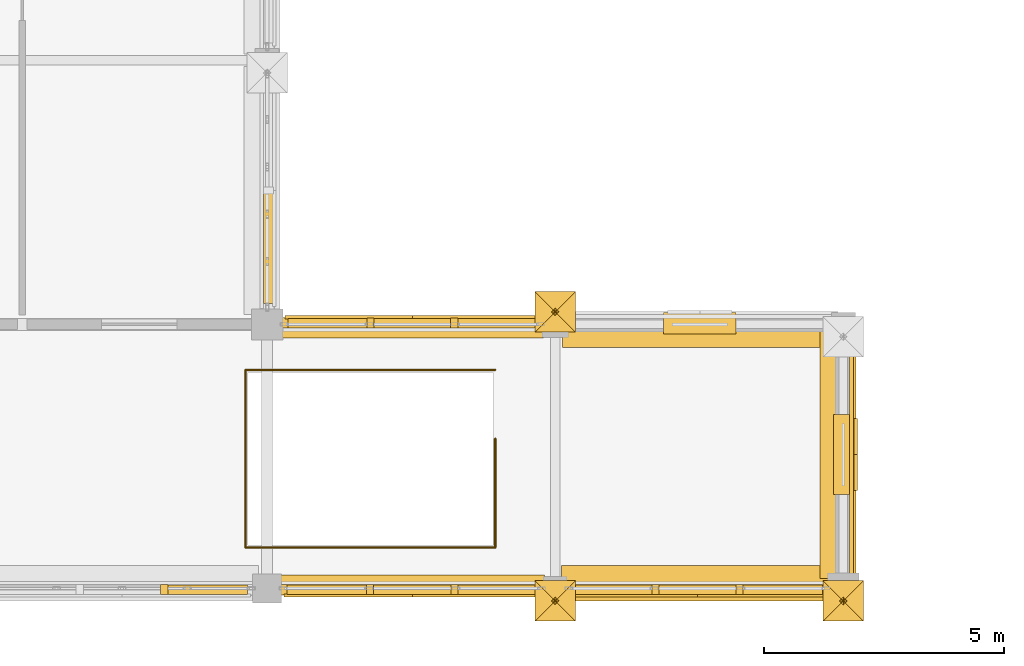
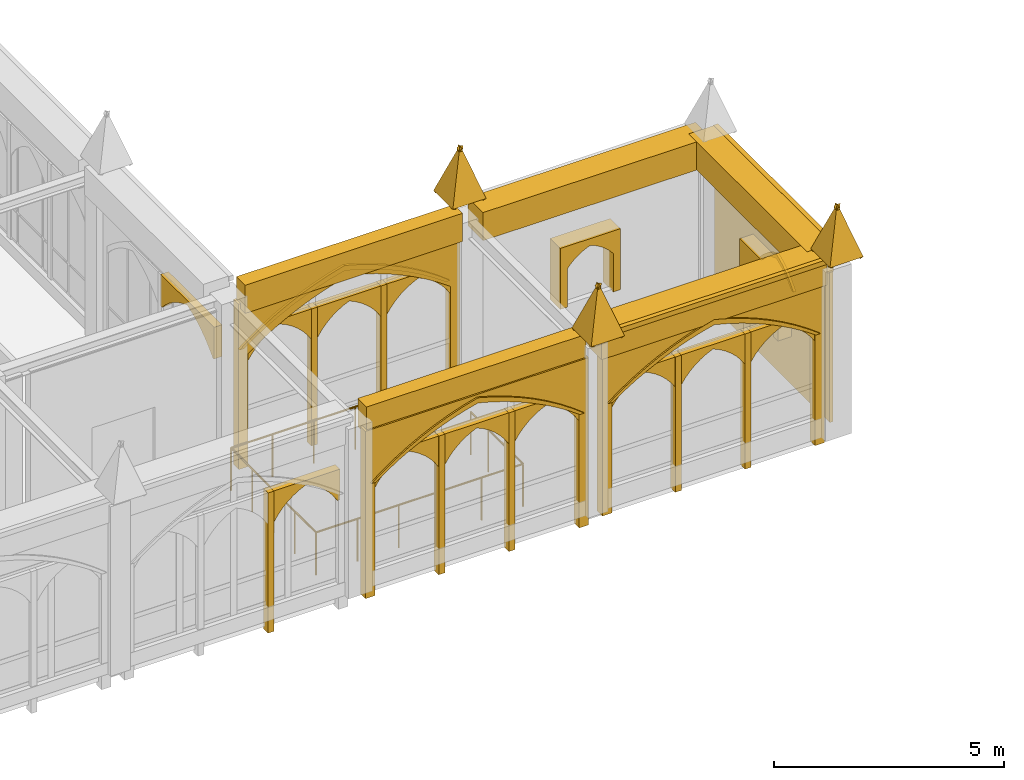
# One storey, part 125 of 143: 47 coverings, 1 railing.
"""IFC4 building model written with IfcOpenShell, lengths in metres."""

from ifc_helpers import new_model, si_unit, direction, frame, origin, origin_2d, place, context, subcontext, project, spatial, polyline, rectangle, circle, outline, extrude, material, type_object, element, save


model = new_model("IFC4")

# Units and contexts
model_context = context("Model", 3, precision=1e-05, world=origin(), true_north=direction((0.0, 1.0)))
body_context = subcontext(model_context, "Body", "Model", "MODEL_VIEW")
ifc_project = project(units=[si_unit("LENGTHUNIT", "METRE"), si_unit("AREAUNIT", "SQUARE_METRE"), si_unit("VOLUMEUNIT", "CUBIC_METRE"), si_unit("PLANEANGLEUNIT", "RADIAN"), si_unit("MASSUNIT", "GRAM", prefix="KILO")], contexts=[model_context])

# Site, building, storey
site_placement = place(None, origin())
site = spatial("IfcSite", under=ifc_project, at=site_placement, CompositionType="ELEMENT")
building_placement = place(site_placement, origin())
building = spatial("IfcBuilding", under=site, at=building_placement, Name="Cumevento Cable Car Station", CompositionType="ELEMENT")
storey_placement = place(building_placement, frame((0.0, 0.0, 9.0)))
storey = spatial("IfcBuildingStorey", under=building, at=storey_placement, Name="L03", CompositionType="ELEMENT", Elevation=9.0)

# Railing
ifc_material_1 = material(Name="Painted Galvanised Architectural Steel", Category="steel")
railing_type = type_object("IfcRailingType", Name="Stair Guardrail GR-S115", PredefinedType="GUARDRAIL", material=ifc_material_1)
railing_placement = place(storey_placement, frame((74.75, 7.1201171875, 0.0)))
element("IfcRailing", 1, at=railing_placement, inside=storey, type_object=railing_type, Name="Stairwell Opening Rim Guard ST-08 L03", PredefinedType="GUARDRAIL", context=body_context, shape_type="SweptSolid", body=[
    extrude(circle(Radius=0.02392578125, at=origin_2d()), frame((0.0, 0.0, 1.1259765625), z_axis=(0.0, -1.0, 0.0), x_axis=(1.0, 0.0, 0.0)), (0.0, 0.0, 1.0), 2.27001953125),
    extrude(circle(Radius=0.02392578125, at=origin_2d()), frame((0.0, -2.27001953125, 1.1259765625), z_axis=(-1.0, 0.0, 0.0), x_axis=(0.0, -1.0, 0.0)), (0.0, 0.0, 1.0), 5.199951171875),
    extrude(circle(Radius=0.02392578125, at=origin_2d()), frame((-5.199951171875, -2.27001953125, 1.1259765625), z_axis=(0.0, 1.0, 0.0), x_axis=(-1.0, 0.0, 0.0)), (0.0, 0.0, 1.0), 3.699951171875),
    extrude(circle(Radius=0.02392578125, at=origin_2d()), frame((-5.199951171875, 1.429931640625, 1.1259765625), z_axis=(1.0, 0.0, 0.0), x_axis=(0.0, 1.0, 0.0)), (0.0, 0.0, 1.0), 5.199951171875),
    extrude(circle(Radius=0.02001953125, at=origin_2d()), origin(), (0.0, 0.0, 1.0), 1.101806640625),
    extrude(circle(Radius=0.02001953125, at=origin_2d()), frame((0.0, -0.756591796875, 0.0)), (0.0, 0.0, 1.0), 1.101806640625),
    extrude(circle(Radius=0.02001953125, at=origin_2d()), frame((0.0, -1.513427734375, 0.0)), (0.0, 0.0, 1.0), 1.101806640625),
    extrude(circle(Radius=0.02001953125, at=origin_2d()), frame((0.0, -2.27001953125, 0.0)), (0.0, 0.0, 1.0), 1.101806640625),
    extrude(circle(Radius=0.02001953125, at=origin_2d()), frame((-1.0400390625, -2.27001953125, 0.0)), (0.0, 0.0, 1.0), 1.101806640625),
    extrude(circle(Radius=0.02001953125, at=origin_2d()), frame((-2.080078125, -2.27001953125, 0.0)), (0.0, 0.0, 1.0), 1.101806640625),
    extrude(circle(Radius=0.02001953125, at=origin_2d()), frame((-3.119873046875, -2.27001953125, 0.0)), (0.0, 0.0, 1.0), 1.101806640625),
    extrude(circle(Radius=0.02001953125, at=origin_2d()), frame((-4.159912109375, -2.27001953125, 0.0)), (0.0, 0.0, 1.0), 1.101806640625),
    extrude(circle(Radius=0.02001953125, at=origin_2d()), frame((-5.199951171875, -2.27001953125, 0.0)), (0.0, 0.0, 1.0), 1.101806640625),
    extrude(circle(Radius=0.02001953125, at=origin_2d()), frame((-5.199951171875, -1.344970703125, 0.0)), (0.0, 0.0, 1.0), 1.101806640625),
    extrude(circle(Radius=0.02001953125, at=origin_2d()), frame((-5.199951171875, -0.419921875, 0.0)), (0.0, 0.0, 1.0), 1.101806640625),
    extrude(circle(Radius=0.02001953125, at=origin_2d()), frame((-5.199951171875, 0.5048828125, 0.0)), (0.0, 0.0, 1.0), 1.101806640625),
    extrude(circle(Radius=0.02001953125, at=origin_2d()), frame((-5.199951171875, 1.429931640625, 0.0)), (0.0, 0.0, 1.0), 1.101806640625),
    extrude(circle(Radius=0.02001953125, at=origin_2d()), frame((-4.159912109375, 1.429931640625, 0.0)), (0.0, 0.0, 1.0), 1.101806640625),
    extrude(circle(Radius=0.02001953125, at=origin_2d()), frame((-3.119873046875, 1.429931640625, 0.0)), (0.0, 0.0, 1.0), 1.101806640625),
    extrude(circle(Radius=0.02001953125, at=origin_2d()), frame((-2.080078125, 1.429931640625, 0.0)), (0.0, 0.0, 1.0), 1.101806640625),
    extrude(circle(Radius=0.02001953125, at=origin_2d()), frame((-1.0400390625, 1.429931640625, 0.0)), (0.0, 0.0, 1.0), 1.101806640625),
    extrude(circle(Radius=0.02001953125, at=origin_2d()), frame((0.0, 1.429931640625, 0.0)), (0.0, 0.0, 1.0), 1.101806640625),
])

# Coverings
ifc_material_2 = material(Name="Gnaisse Facoidal Stone Ashlar 85 MPa", Category="masonry")
covering_type = type_object("IfcCoveringType", Name="Gnaisse Ashlar Cladding CV-CL01", PredefinedType="CLADDING", material=ifc_material_2)
for number, where, z_axis, x_axis, name in (
    (2, (75.580078125, 4.159912109375, 4.8701171875), (0.0, 0.951573760476, 0.30742052367), (1.0, 0.0, 0.0), "Gothic Buttress Pinnacle Spire Facet 1 bt:76.0:4.0"),
    (3, (76.419921875, 4.159912109375, 4.8701171875), (0.951573760476, 0.0, 0.30742052367), (0.0, -1.0, 0.0), "Gothic Buttress Pinnacle Spire Facet 2 bt:76.0:4.0"),
    (4, (76.419921875, 3.320068359375, 4.8701171875), (0.0, -0.951573760476, 0.30742052367), (-1.0, 0.0, 0.0), "Gothic Buttress Pinnacle Spire Facet 3 bt:76.0:4.0"),
    (5, (75.580078125, 3.320068359375, 4.8701171875), (-0.951573760476, 0.0, 0.30742052367), (0.0, 1.0, 0.0), "Gothic Buttress Pinnacle Spire Facet 4 bt:76.0:4.0"),
    (6, (76.419921875, 9.340087890625, 4.8701171875), (0.0, -0.951573760476, 0.30742052367), (-1.0, 0.0, 0.0), "Gothic Buttress Pinnacle Spire Facet 1 bt:76.0:9.5"),
    (7, (75.580078125, 9.340087890625, 4.8701171875), (-0.951573760476, 0.0, 0.30742052367), (0.0, 1.0, 0.0), "Gothic Buttress Pinnacle Spire Facet 2 bt:76.0:9.5"),
    (8, (75.580078125, 10.179931640625, 4.8701171875), (0.0, 0.951573760476, 0.30742052367), (1.0, 0.0, 0.0), "Gothic Buttress Pinnacle Spire Facet 3 bt:76.0:9.5"),
    (9, (76.419921875, 10.179931640625, 4.8701171875), (0.951573760476, 0.0, 0.30742052367), (0.0, -1.0, 0.0), "Gothic Buttress Pinnacle Spire Facet 4 bt:76.0:9.5"),
    (10, (81.580078125, 4.159912109375, 4.8701171875), (0.0, 0.951573760476, 0.30742052367), (1.0, 0.0, 0.0), "Gothic Buttress Pinnacle Spire Facet 1 bt:82.0:4.0"),
    (11, (82.419921875, 4.159912109375, 4.8701171875), (0.951573760476, 0.0, 0.30742052367), (0.0, -1.0, 0.0), "Gothic Buttress Pinnacle Spire Facet 2 bt:82.0:4.0"),
    (12, (82.419921875, 3.320068359375, 4.8701171875), (0.0, -0.951573760476, 0.30742052367), (-1.0, 0.0, 0.0), "Gothic Buttress Pinnacle Spire Facet 3 bt:82.0:4.0"),
    (13, (81.580078125, 3.320068359375, 4.8701171875), (-0.951573760476, 0.0, 0.30742052367), (0.0, 1.0, 0.0), "Gothic Buttress Pinnacle Spire Facet 4 bt:82.0:4.0"),
):
    element("IfcCovering", number, at=place(storey_placement, frame(where, z_axis=z_axis, x_axis=x_axis)), inside=storey, type_object=covering_type, Name=name, PredefinedType="CLADDING", context=body_context, shape_type="SweptSolid", body=[
        extrude(outline(polyline([(0.0, 0.0), (0.83984375, 0.0), (0.419921875, -1.3659526370817139), (0.0, 0.0)])), origin(), (0.0, 0.0, -1.0), 0.0849609375),
    ])
covering_1_placement = place(storey_placement, frame((73.02490234375, 4.090087890625, 4.032958984375), z_axis=(0.0, 0.0, 1.0), x_axis=(-1.0, 0.0, 0.0)))
element("IfcCovering", 14, at=covering_1_placement, inside=storey, type_object=covering_type, Name="Gothic Stone Spandrel Stringcourse sc:0595", PredefinedType="CLADDING", context=body_context, shape_type="SweptSolid", body=[
    extrude(rectangle(XDim=5.510009765625, YDim=0.3798828125, at=origin_2d()), origin(), (0.0, 0.0, 1.0), 0.7470703125),
])
covering_2_placement = place(storey_placement, frame((78.96240234375, 4.14990234375, 4.032958984375), z_axis=(0.0, 0.0, 1.0), x_axis=(-1.0, 0.0, 0.0)))
element("IfcCovering", 15, at=covering_2_placement, inside=storey, type_object=covering_type, Name="Gothic Stone Spandrel Stringcourse sc:0596", PredefinedType="CLADDING", context=body_context, shape_type="SweptSolid", body=[
    extrude(rectangle(XDim=5.6650390625, YDim=0.659912109375, at=origin_2d()), origin(), (0.0, 0.0, 1.0), 0.7470703125),
])
covering_3_placement = place(storey_placement, frame((78.96240234375, 3.79248046875, 4.650146484375), z_axis=(0.0, 0.0, 1.0), x_axis=(-1.0, 0.0, 0.0)))
element("IfcCovering", 16, at=covering_3_placement, inside=storey, type_object=covering_type, Name="Gothic Cornice Dripstone Lip sc:0596", PredefinedType="CLADDING", context=body_context, shape_type="SweptSolid", body=[
    extrude(rectangle(XDim=5.705078125, YDim=0.114990234375, at=origin_2d()), origin(), (0.0, 0.0, 1.0), 0.1298828125),
])
covering_4_placement = place(storey_placement, frame((73.02490234375, 9.409912109375, 4.032958984375), z_axis=(0.0, 0.0, 1.0), x_axis=(1.0, 0.0, 0.0)))
element("IfcCovering", 17, at=covering_4_placement, inside=storey, type_object=covering_type, Name="Gothic Stone Spandrel Stringcourse sc:0599", PredefinedType="CLADDING", context=body_context, shape_type="SweptSolid", body=[
    extrude(rectangle(XDim=5.4599609375, YDim=0.3798828125, at=origin_2d()), origin(), (0.0, 0.0, 1.0), 0.7470703125),
])
covering_5_placement = place(storey_placement, frame((79.012451171875, 9.35009765625, 4.032958984375), z_axis=(0.0, 0.0, 1.0), x_axis=(1.0, 0.0, 0.0)))
element("IfcCovering", 18, at=covering_5_placement, inside=storey, type_object=covering_type, Name="Gothic Stone Spandrel Stringcourse sc:0600", PredefinedType="CLADDING", context=body_context, shape_type="SweptSolid", body=[
    extrude(rectangle(XDim=5.715087890625, YDim=0.659912109375, at=origin_2d()), origin(), (0.0, 0.0, 1.0), 0.7470703125),
])
covering_6_placement = place(storey_placement, frame((81.85009765625, 6.78759765625, 4.032958984375), z_axis=(0.0, 0.0, 1.0), x_axis=(0.0, -1.0, 0.0)))
element("IfcCovering", 19, at=covering_6_placement, inside=storey, type_object=covering_type, Name="Gothic Stone Spandrel Stringcourse sc:0601", PredefinedType="CLADDING", context=body_context, shape_type="SweptSolid", body=[
    extrude(rectangle(XDim=5.1650390625, YDim=0.659912109375, at=origin_2d()), origin(), (0.0, 0.0, 1.0), 0.7470703125),
])
covering_7_placement = place(storey_placement, frame((82.20751953125, 6.78759765625, 4.650146484375), z_axis=(0.0, 0.0, 1.0), x_axis=(0.0, -1.0, 0.0)))
element("IfcCovering", 20, at=covering_7_placement, inside=storey, type_object=covering_type, Name="Gothic Cornice Dripstone Lip sc:0601", PredefinedType="CLADDING", context=body_context, shape_type="SweptSolid", body=[
    extrude(rectangle(XDim=5.205078125, YDim=0.114990234375, at=origin_2d()), origin(), (0.0, 0.0, 1.0), 0.1298828125),
])
covering_8_placement = place(storey_placement, frame((69.699951171875, 4.0, -0.320068359375), z_axis=(0.0, 0.0, 1.0), x_axis=(-1.0, 0.0, 0.0)))
element("IfcCovering", 21, at=covering_8_placement, inside=storey, type_object=covering_type, Name="Gothic Bifora Stone Colonnette cw_ogival:0076 #1", PredefinedType="CLADDING", context=body_context, shape_type="SweptSolid", body=[
    extrude(outline(polyline([(1.77001953125, -0.02001953125), (1.919921875, -0.02001953125), (1.919921875, 3.70556640625), (1.77001953125, 3.70556640625), (1.77001953125, -0.02001953125)])), frame((0.0, 0.1279296875, 0.0), z_axis=(0.0, -1.0, 0.0), x_axis=(1.0, 0.0, 0.0)), (0.0, 0.0, 1.0), 0.205078125),
])
covering_9_placement = place(storey_placement, frame((69.570068359375, 4.0, 2.569091796875), z_axis=(0.0, 0.0, 1.0), x_axis=(-1.0, 0.0, 0.0)))
element("IfcCovering", 22, at=covering_9_placement, inside=storey, type_object=covering_type, Name="Gothic Ogival Pointed-Arch Stone Spandrel cw_ogival:0076:sub:0", PredefinedType="CLADDING", context=body_context, shape_type="SweptSolid", body=[
    extrude(outline(polyline([(-0.02001953125, 0.0), (-0.02001953125, 0.81640625), (1.68994140625, 0.81640625), (1.68994140625, 0.0), (1.6298828125, 0.0), (1.5322265625, 0.150390625), (1.418701171875, 0.2890625), (1.29052734375, 0.41455078125), (1.1494140625, 0.525146484375), (0.996826171875, 0.619384765625), (0.8349609375, 0.6962890625), (0.673095703125, 0.619384765625), (0.5205078125, 0.525146484375), (0.37939453125, 0.41455078125), (0.251220703125, 0.2890625), (0.1376953125, 0.150390625), (0.0400390625, 0.0), (-0.02001953125, 0.0)])), frame((0.0, 0.1240234375, 0.0), z_axis=(0.0, -1.0, 0.0), x_axis=(1.0, 0.0, 0.0)), (0.0, 0.0, 1.0), 0.199951171875),
])
placement_1 = place(storey_placement, frame((75.75, 4.0, -0.27001953125), z_axis=(0.0, 0.0, 1.0), x_axis=(-1.0, 0.0, 0.0)))
element("IfcCovering", 23, at=placement_1, inside=storey, type_object=covering_type, Name="Gothic Ogival Pointed-Arch Stone Spandrel cw_ogival:0077", PredefinedType="CLADDING", context=body_context, shape_type="SweptSolid", body=[
    extrude(outline(polyline([(-0.080078125, 0.0), (-0.080078125, 4.443115234375), (5.530029296875, 4.443115234375), (5.530029296875, 0.0), (5.2900390625, 0.0), (5.2900390625, 3.037109375), (4.9990234375, 3.243408203125), (4.69775390625, 3.4345703125), (4.387451171875, 3.6103515625), (4.068603515625, 3.77001953125), (3.7421875, 3.91357421875), (3.40869140625, 4.04052734375), (3.0693359375, 4.150390625), (2.72509765625, 4.242919921875), (2.380615234375, 4.150390625), (2.041259765625, 4.04052734375), (1.707763671875, 3.91357421875), (1.38134765625, 3.77001953125), (1.0625, 3.6103515625), (0.752197265625, 3.4345703125), (0.450927734375, 3.243408203125), (0.159912109375, 3.037109375), (0.159912109375, 0.0), (-0.080078125, 0.0)])), frame((0.0, 0.139892578125, 0.0), z_axis=(0.0, -1.0, 0.0), x_axis=(1.0, 0.0, 0.0)), (0.0, 0.0, 1.0), 0.219970703125),
])
covering_11_placement = place(storey_placement, frame((75.75, 4.0, 2.76708984375), z_axis=(0.0, 0.0, 1.0), x_axis=(-1.0, 0.0, 0.0)))
element("IfcCovering", 24, at=covering_11_placement, inside=storey, type_object=covering_type, Name="Gothic Pointed Archivolt Hood Moulding cw_ogival:0077", PredefinedType="CLADDING", context=body_context, shape_type="SweptSolid", body=[
    extrude(outline(polyline([(0.159912109375, 0.0), (0.450927734375, 0.206298828125), (0.752197265625, 0.3974609375), (1.0625, 0.5732421875), (1.38134765625, 0.73291015625), (1.707763671875, 0.87646484375), (2.041259765625, 1.00341796875), (2.380615234375, 1.11328125), (2.72509765625, 1.205810546875), (3.0693359375, 1.11328125), (3.40869140625, 1.00341796875), (3.7421875, 0.87646484375), (4.068603515625, 0.73291015625), (4.387451171875, 0.5732421875), (4.69775390625, 0.3974609375), (4.9990234375, 0.206298828125), (5.2900390625, 0.0), (5.39990234375, 0.0), (5.100341796875, 0.22900390625), (4.7890625, 0.441650390625), (4.466796875, 0.63720703125), (4.134521484375, 0.8154296875), (3.793212890625, 0.9755859375), (3.44384765625, 1.1171875), (3.08740234375, 1.239990234375), (2.72509765625, 1.343505859375), (2.362548828125, 1.239990234375), (2.006103515625, 1.1171875), (1.65673828125, 0.9755859375), (1.3154296875, 0.8154296875), (0.983154296875, 0.63720703125), (0.660888671875, 0.441650390625), (0.349609375, 0.22900390625), (0.050048828125, 0.0), (0.159912109375, 0.0)])), frame((0.0, 0.181884765625, 0.0), z_axis=(0.0, -1.0, 0.0), x_axis=(1.0, 0.0, 0.0)), (0.0, 0.0, 1.0), 0.06689453125),
])
element("IfcCovering", 25, at=placement_1, inside=storey, type_object=covering_type, Name="Gothic Bifora Stone Colonnette cw_ogival:0077 #1", PredefinedType="CLADDING", context=body_context, shape_type="SweptSolid", body=[
    extrude(outline(polyline([(1.77001953125, -0.02001953125), (1.919921875, -0.02001953125), (1.919921875, 3.664306640625), (1.77001953125, 3.664306640625), (1.77001953125, -0.02001953125)])), frame((0.0, 0.1279296875, 0.0), z_axis=(0.0, -1.0, 0.0), x_axis=(1.0, 0.0, 0.0)), (0.0, 0.0, 1.0), 0.205078125),
])
element("IfcCovering", 26, at=placement_1, inside=storey, type_object=covering_type, Name="Gothic Bifora Stone Colonnette cw_ogival:0077 #2", PredefinedType="CLADDING", context=body_context, shape_type="SweptSolid", body=[
    extrude(outline(polyline([(3.530029296875, -0.02001953125), (3.679931640625, -0.02001953125), (3.679931640625, 3.664306640625), (3.530029296875, 3.664306640625), (3.530029296875, -0.02001953125)])), frame((0.0, 0.1279296875, 0.0), z_axis=(0.0, -1.0, 0.0), x_axis=(1.0, 0.0, 0.0)), (0.0, 0.0, 1.0), 0.205078125),
])
for number, where, z_axis, x_axis, name in (
    (27, (75.6201171875, 4.0, 2.587158203125), (0.0, 0.0, 1.0), (-1.0, 0.0, 0.0), "Gothic Ogival Pointed-Arch Stone Spandrel cw_ogival:0077:sub:0"),
    (28, (73.860107421875, 4.0, 2.587158203125), (0.0, 0.0, 1.0), (-1.0, 0.0, 0.0), "Gothic Ogival Pointed-Arch Stone Spandrel cw_ogival:0077:sub:1"),
    (29, (72.10009765625, 4.0, 2.587158203125), (0.0, 0.0, 1.0), (-1.0, 0.0, 0.0), "Gothic Ogival Pointed-Arch Stone Spandrel cw_ogival:0077:sub:2"),
):
    element("IfcCovering", number, at=place(storey_placement, frame(where, z_axis=z_axis, x_axis=x_axis)), inside=storey, type_object=covering_type, Name=name, PredefinedType="CLADDING", context=body_context, shape_type="SweptSolid", body=[
        extrude(outline(polyline([(-0.02001953125, 0.0), (-0.02001953125, 0.80712890625), (1.68994140625, 0.80712890625), (1.68994140625, 0.0), (1.6298828125, 0.0), (1.531494140625, 0.148681640625), (1.41748046875, 0.28564453125), (1.289306640625, 0.4091796875), (1.148193359375, 0.518310546875), (0.99609375, 0.611328125), (0.8349609375, 0.68701171875), (0.673828125, 0.611328125), (0.521728515625, 0.518310546875), (0.380615234375, 0.4091796875), (0.25244140625, 0.28564453125), (0.138427734375, 0.148681640625), (0.0400390625, 0.0), (-0.02001953125, 0.0)])), frame((0.0, 0.1240234375, 0.0), z_axis=(0.0, -1.0, 0.0), x_axis=(1.0, 0.0, 0.0)), (0.0, 0.0, 1.0), 0.199951171875),
    ])
placement_2 = place(storey_placement, frame((70.324951171875, 9.5, -0.219970703125), z_axis=(0.0, 0.0, 1.0), x_axis=(1.0, 0.0, 0.0)))
element("IfcCovering", 30, at=placement_2, inside=storey, type_object=covering_type, Name="Gothic Ogival Pointed-Arch Stone Spandrel cw_ogival:0078", PredefinedType="CLADDING", context=body_context, shape_type="SweptSolid", body=[
    extrude(outline(polyline([(-0.080078125, 0.0), (-0.080078125, 4.39306640625), (5.47998046875, 4.39306640625), (5.47998046875, 0.0), (5.239990234375, 0.0), (5.239990234375, 3.005126953125), (4.951416015625, 3.208251953125), (4.653076171875, 3.396728515625), (4.345703125, 3.56982421875), (4.02978515625, 3.727294921875), (3.70654296875, 3.86865234375), (3.376708984375, 3.99365234375), (3.040771484375, 4.101806640625), (2.699951171875, 4.193115234375), (2.359130859375, 4.101806640625), (2.023193359375, 3.99365234375), (1.693359375, 3.86865234375), (1.3701171875, 3.727294921875), (1.05419921875, 3.56982421875), (0.746826171875, 3.396728515625), (0.448486328125, 3.208251953125), (0.159912109375, 3.005126953125), (0.159912109375, 0.0), (-0.080078125, 0.0)])), frame((0.0, 0.139892578125, 0.0), z_axis=(0.0, -1.0, 0.0), x_axis=(1.0, 0.0, 0.0)), (0.0, 0.0, 1.0), 0.219970703125),
])
covering_15_placement = place(storey_placement, frame((70.324951171875, 9.5, 2.78515625), z_axis=(0.0, 0.0, 1.0), x_axis=(1.0, 0.0, 0.0)))
element("IfcCovering", 31, at=covering_15_placement, inside=storey, type_object=covering_type, Name="Gothic Pointed Archivolt Hood Moulding cw_ogival:0078", PredefinedType="CLADDING", context=body_context, shape_type="SweptSolid", body=[
    extrude(outline(polyline([(0.159912109375, 0.0), (0.448486328125, 0.203125), (0.746826171875, 0.3916015625), (1.05419921875, 0.564697265625), (1.3701171875, 0.72216796875), (1.693359375, 0.863525390625), (2.023193359375, 0.988525390625), (2.359130859375, 1.0966796875), (2.699951171875, 1.18798828125), (3.040771484375, 1.0966796875), (3.376708984375, 0.988525390625), (3.70654296875, 0.863525390625), (4.02978515625, 0.72216796875), (4.345703125, 0.564697265625), (4.653076171875, 0.3916015625), (4.951416015625, 0.203125), (5.239990234375, 0.0), (5.35009765625, 0.0), (5.052978515625, 0.22607421875), (4.744384765625, 0.435791015625), (4.425048828125, 0.62890625), (4.095947265625, 0.8046875), (3.7578125, 0.962646484375), (3.411865234375, 1.102294921875), (3.058837890625, 1.223388671875), (2.699951171875, 1.325439453125), (2.341064453125, 1.223388671875), (1.988037109375, 1.102294921875), (1.64208984375, 0.962646484375), (1.303955078125, 0.8046875), (0.974853515625, 0.62890625), (0.655517578125, 0.435791015625), (0.346923828125, 0.22607421875), (0.050048828125, 0.0), (0.159912109375, 0.0)])), frame((0.0, 0.181884765625, 0.0), z_axis=(0.0, -1.0, 0.0), x_axis=(1.0, 0.0, 0.0)), (0.0, 0.0, 1.0), 0.06689453125),
])
element("IfcCovering", 32, at=placement_2, inside=storey, type_object=covering_type, Name="Gothic Bifora Stone Colonnette cw_ogival:0078 #1", PredefinedType="CLADDING", context=body_context, shape_type="SweptSolid", body=[
    extrude(outline(polyline([(1.75341796875, -0.02001953125), (1.9033203125, -0.02001953125), (1.9033203125, 3.622802734375), (1.75341796875, 3.622802734375), (1.75341796875, -0.02001953125)])), frame((0.0, 0.1279296875, 0.0), z_axis=(0.0, -1.0, 0.0), x_axis=(1.0, 0.0, 0.0)), (0.0, 0.0, 1.0), 0.205078125),
])
element("IfcCovering", 33, at=placement_2, inside=storey, type_object=covering_type, Name="Gothic Bifora Stone Colonnette cw_ogival:0078 #2", PredefinedType="CLADDING", context=body_context, shape_type="SweptSolid", body=[
    extrude(outline(polyline([(3.49658203125, -0.02001953125), (3.646728515625, -0.02001953125), (3.646728515625, 3.622802734375), (3.49658203125, 3.622802734375), (3.49658203125, -0.02001953125)])), frame((0.0, 0.1279296875, 0.0), z_axis=(0.0, -1.0, 0.0), x_axis=(1.0, 0.0, 0.0)), (0.0, 0.0, 1.0), 0.205078125),
])
for number, where, z_axis, x_axis, name in (
    (34, (70.455078125, 9.5, 2.60498046875), (0.0, 0.0, 1.0), (1.0, 0.0, 0.0), "Gothic Ogival Pointed-Arch Stone Spandrel cw_ogival:0078:sub:0"),
    (35, (72.1982421875, 9.5, 2.60498046875), (0.0, 0.0, 1.0), (1.0, 0.0, 0.0), "Gothic Ogival Pointed-Arch Stone Spandrel cw_ogival:0078:sub:1"),
    (36, (73.941650390625, 9.5, 2.60498046875), (0.0, 0.0, 1.0), (1.0, 0.0, 0.0), "Gothic Ogival Pointed-Arch Stone Spandrel cw_ogival:0078:sub:2"),
):
    element("IfcCovering", number, at=place(storey_placement, frame(where, z_axis=z_axis, x_axis=x_axis)), inside=storey, type_object=covering_type, Name=name, PredefinedType="CLADDING", context=body_context, shape_type="SweptSolid", body=[
        extrude(outline(polyline([(-0.02001953125, 0.0), (-0.02001953125, 0.797607421875), (1.67333984375, 0.797607421875), (1.67333984375, 0.0), (1.61328125, 0.0), (1.515869140625, 0.146728515625), (1.40283203125, 0.28173828125), (1.27587890625, 0.40380859375), (1.136474609375, 0.51123046875), (0.986083984375, 0.60302734375), (0.82666015625, 0.677734375), (0.667236328125, 0.60302734375), (0.516845703125, 0.51123046875), (0.37744140625, 0.40380859375), (0.25048828125, 0.28173828125), (0.137451171875, 0.146728515625), (0.0400390625, 0.0), (-0.02001953125, 0.0)])), frame((0.0, 0.1240234375, 0.0), z_axis=(0.0, -1.0, 0.0), x_axis=(1.0, 0.0, 0.0)), (0.0, 0.0, 1.0), 0.199951171875),
    ])
placement_3 = place(storey_placement, frame((81.675048828125, 4.0, -0.159912109375), z_axis=(0.0, 0.0, 1.0), x_axis=(-1.0, 0.0, 0.0)))
element("IfcCovering", 37, at=placement_3, inside=storey, type_object=covering_type, Name="Gothic Ogival Pointed-Arch Stone Spandrel cw_ogival:0079", PredefinedType="CLADDING", context=body_context, shape_type="SweptSolid", body=[
    extrude(outline(polyline([(-0.080078125, 0.0), (-0.080078125, 4.3330078125), (5.5048828125, 4.3330078125), (5.5048828125, 0.0), (5.264892578125, 0.0), (5.264892578125, 2.966796875), (4.973876953125, 3.16650390625), (4.67333984375, 3.3515625), (4.36376953125, 3.521484375), (4.04638671875, 3.67626953125), (3.721923828125, 3.814697265625), (3.390869140625, 3.9375), (3.053955078125, 4.043701171875), (2.71240234375, 4.133056640625), (2.37109375, 4.043701171875), (2.0341796875, 3.9375), (1.703125, 3.814697265625), (1.378662109375, 3.67626953125), (1.061279296875, 3.521484375), (0.751708984375, 3.3515625), (0.451171875, 3.16650390625), (0.159912109375, 2.966796875), (0.159912109375, 0.0), (-0.080078125, 0.0)])), frame((0.0, 0.139892578125, 0.0), z_axis=(0.0, -1.0, 0.0), x_axis=(1.0, 0.0, 0.0)), (0.0, 0.0, 1.0), 0.219970703125),
])
covering_19_placement = place(storey_placement, frame((81.675048828125, 4.0, 2.806640625), z_axis=(0.0, 0.0, 1.0), x_axis=(-1.0, 0.0, 0.0)))
element("IfcCovering", 38, at=covering_19_placement, inside=storey, type_object=covering_type, Name="Gothic Pointed Archivolt Hood Moulding cw_ogival:0079", PredefinedType="CLADDING", context=body_context, shape_type="SweptSolid", body=[
    extrude(outline(polyline([(0.159912109375, 0.0), (0.451171875, 0.19970703125), (0.751708984375, 0.384765625), (1.061279296875, 0.5546875), (1.378662109375, 0.70947265625), (1.703125, 0.84814453125), (2.0341796875, 0.970703125), (2.37109375, 1.076904296875), (2.71240234375, 1.166259765625), (3.053955078125, 1.076904296875), (3.390869140625, 0.970703125), (3.721923828125, 0.84814453125), (4.04638671875, 0.70947265625), (4.36376953125, 0.5546875), (4.67333984375, 0.384765625), (4.973876953125, 0.19970703125), (5.264892578125, 0.0), (5.375, 0.0), (5.075439453125, 0.222412109375), (4.764404296875, 0.428955078125), (4.443115234375, 0.618896484375), (4.1123046875, 0.791748046875), (3.77294921875, 0.947265625), (3.42578125, 1.08447265625), (3.072021484375, 1.20361328125), (2.71240234375, 1.3037109375), (2.35302734375, 1.20361328125), (1.999267578125, 1.08447265625), (1.652099609375, 0.947265625), (1.312744140625, 0.791748046875), (0.98193359375, 0.618896484375), (0.66064453125, 0.428955078125), (0.349609375, 0.222412109375), (0.050048828125, 0.0), (0.159912109375, 0.0)])), frame((0.0, 0.181884765625, 0.0), z_axis=(0.0, -1.0, 0.0), x_axis=(1.0, 0.0, 0.0)), (0.0, 0.0, 1.0), 0.06689453125),
])
element("IfcCovering", 39, at=placement_3, inside=storey, type_object=covering_type, Name="Gothic Bifora Stone Colonnette cw_ogival:0079 #1", PredefinedType="CLADDING", context=body_context, shape_type="SweptSolid", body=[
    extrude(outline(polyline([(1.76171875, -0.02001953125), (1.91162109375, -0.02001953125), (1.91162109375, 3.5732421875), (1.76171875, 3.5732421875), (1.76171875, -0.02001953125)])), frame((0.0, 0.1279296875, 0.0), z_axis=(0.0, -1.0, 0.0), x_axis=(1.0, 0.0, 0.0)), (0.0, 0.0, 1.0), 0.205078125),
])
element("IfcCovering", 40, at=placement_3, inside=storey, type_object=covering_type, Name="Gothic Bifora Stone Colonnette cw_ogival:0079 #2", PredefinedType="CLADDING", context=body_context, shape_type="SweptSolid", body=[
    extrude(outline(polyline([(3.513427734375, -0.02001953125), (3.663330078125, -0.02001953125), (3.663330078125, 3.5732421875), (3.513427734375, 3.5732421875), (3.513427734375, -0.02001953125)])), frame((0.0, 0.1279296875, 0.0), z_axis=(0.0, -1.0, 0.0), x_axis=(1.0, 0.0, 0.0)), (0.0, 0.0, 1.0), 0.205078125),
])
for number, where, z_axis, x_axis, name in (
    (41, (81.544921875, 4.0, 2.626708984375), (0.0, 0.0, 1.0), (-1.0, 0.0, 0.0), "Gothic Ogival Pointed-Arch Stone Spandrel cw_ogival:0079:sub:0"),
    (42, (79.793212890625, 4.0, 2.626708984375), (0.0, 0.0, 1.0), (-1.0, 0.0, 0.0), "Gothic Ogival Pointed-Arch Stone Spandrel cw_ogival:0079:sub:1"),
    (43, (78.041748046875, 4.0, 2.626708984375), (0.0, 0.0, 1.0), (-1.0, 0.0, 0.0), "Gothic Ogival Pointed-Arch Stone Spandrel cw_ogival:0079:sub:2"),
):
    element("IfcCovering", number, at=place(storey_placement, frame(where, z_axis=z_axis, x_axis=x_axis)), inside=storey, type_object=covering_type, Name=name, PredefinedType="CLADDING", context=body_context, shape_type="SweptSolid", body=[
        extrude(outline(polyline([(-0.02001953125, 0.0), (-0.02001953125, 0.78662109375), (1.681640625, 0.78662109375), (1.681640625, 0.0), (1.62158203125, 0.0), (1.522216796875, 0.14453125), (1.408203125, 0.277587890625), (1.2802734375, 0.3974609375), (1.140380859375, 0.503173828125), (0.989990234375, 0.593017578125), (0.830810546875, 0.66650390625), (0.671630859375, 0.593017578125), (0.521240234375, 0.503173828125), (0.38134765625, 0.3974609375), (0.25341796875, 0.277587890625), (0.139404296875, 0.14453125), (0.0400390625, 0.0), (-0.02001953125, 0.0)])), frame((0.0, 0.1240234375, 0.0), z_axis=(0.0, -1.0, 0.0), x_axis=(1.0, 0.0, 0.0)), (0.0, 0.0, 1.0), 0.199951171875),
    ])
covering_22_placement = place(storey_placement, frame((70.0, 12.242431640625, 2.51513671875), z_axis=(0.0, 0.0, 1.0), x_axis=(0.0, -1.0, 0.0)))
element("IfcCovering", 44, at=covering_22_placement, inside=storey, type_object=covering_type, Name="Gothic Ogival Pointed-Arch Stone Spandrel cw_ogival:0081:sub:1", PredefinedType="CLADDING", context=body_context, shape_type="SweptSolid", body=[
    extrude(outline(polyline([(-0.02001953125, 0.0), (-0.02001953125, 0.844482421875), (2.3076171875, 0.844482421875), (2.3076171875, 0.0), (2.24755859375, 0.0), (2.093017578125, 0.16015625), (1.9248046875, 0.30615234375), (1.744384765625, 0.4365234375), (1.552978515625, 0.55029296875), (1.352294921875, 0.646484375), (1.143798828125, 0.724609375), (0.935302734375, 0.646484375), (0.734619140625, 0.55029296875), (0.543212890625, 0.4365234375), (0.36279296875, 0.30615234375), (0.194580078125, 0.16015625), (0.0400390625, 0.0), (-0.02001953125, 0.0)])), frame((0.0, 0.1240234375, 0.0), z_axis=(0.0, -1.0, 0.0), x_axis=(1.0, 0.0, 0.0)), (0.0, 0.0, 1.0), 0.199951171875),
])
covering_23_placement = place(storey_placement, frame((78.297607421875, 9.5, 1.300048828125), z_axis=(0.0, 0.0, 1.0), x_axis=(1.0, 0.0, 0.0)))
element("IfcCovering", 45, at=covering_23_placement, inside=storey, type_object=covering_type, Name="Gothic Ogival Pointed-Arch Stone Spandrel op_ogival:0229:1", PredefinedType="CLADDING", context=body_context, shape_type="SweptSolid", body=[
    extrude(outline(polyline([(-0.0400390625, 0.0), (-0.0400390625, 1.6201171875), (1.469970703125, 1.6201171875), (1.469970703125, 0.0), (1.2900390625, 0.0), (1.2900390625, 1.02197265625), (1.22412109375, 1.10107421875), (1.15185546875, 1.174560546875), (1.073974609375, 1.24169921875), (0.990478515625, 1.30224609375), (0.902587890625, 1.355712890625), (0.810546875, 1.401611328125), (0.715087890625, 1.43994140625), (0.619384765625, 1.401611328125), (0.52734375, 1.355712890625), (0.439453125, 1.30224609375), (0.35595703125, 1.24169921875), (0.278076171875, 1.174560546875), (0.205810546875, 1.10107421875), (0.139892578125, 1.02197265625), (0.139892578125, 0.0), (-0.0400390625, 0.0)])), frame((0.0, 0.24560546875, 0.0), z_axis=(0.0, -1.0, 0.0), x_axis=(1.0, 0.0, 0.0)), (0.0, 0.0, 1.0), 0.445068359375),
])
covering_24_placement = place(storey_placement, frame((82.0, 9.25, 0.0), z_axis=(0.0, 0.0, 1.0), x_axis=(0.0, -1.0, 0.0)))
element("IfcCovering", 46, at=covering_24_placement, inside=storey, type_object=covering_type, Name="Exterior Gnaisse Stone Wall Ashlar #230", PredefinedType="CLADDING", context=body_context, shape_type="SweptSolid", body=[
    extrude(outline(polyline([(-0.0400390625, -0.02001953125), (4.965087890625, -0.02001953125), (4.965087890625, 4.113037109375), (-0.0400390625, 4.113037109375), (-0.0400390625, -0.02001953125)]), holes=[polyline([(1.822509765625, 1.31005859375), (3.1025390625, 1.31005859375), (3.1025390625, 2.739990234375), (1.822509765625, 2.739990234375), (1.822509765625, 1.31005859375)])]), frame((0.0, 0.215087890625, 0.0), z_axis=(0.0, -1.0, 0.0), x_axis=(1.0, 0.0, 0.0)), (0.0, 0.0, 1.0), 0.0849609375),
])
covering_25_placement = place(storey_placement, frame((82.0, 7.577392578125, 1.25), z_axis=(0.0, 0.0, 1.0), x_axis=(0.0, -1.0, 0.0)))
element("IfcCovering", 47, at=covering_25_placement, inside=storey, type_object=covering_type, Name="Gothic Ogival Pointed-Arch Stone Spandrel op_ogival:0230:1", PredefinedType="CLADDING", context=body_context, shape_type="SweptSolid", body=[
    extrude(outline(polyline([(-0.0400390625, 0.0), (-0.0400390625, 1.719970703125), (1.6201171875, 1.719970703125), (1.6201171875, 0.0), (1.43994140625, 0.0), (1.43994140625, 1.093994140625), (1.36376953125, 1.1787109375), (1.28125, 1.25732421875), (1.1923828125, 1.3291015625), (1.098388671875, 1.3935546875), (0.999755859375, 1.450439453125), (0.896728515625, 1.499267578125), (0.7900390625, 1.5400390625), (0.683349609375, 1.499267578125), (0.580322265625, 1.450439453125), (0.481689453125, 1.3935546875), (0.3876953125, 1.3291015625), (0.298828125, 1.25732421875), (0.21630859375, 1.1787109375), (0.139892578125, 1.093994140625), (0.139892578125, 0.0), (-0.0400390625, 0.0)])), frame((0.0, 0.2529296875, 0.0), z_axis=(0.0, -1.0, 0.0), x_axis=(1.0, 0.0, 0.0)), (0.0, 0.0, 1.0), 0.4599609375),
])
covering_26_placement = place(storey_placement, frame((82.0, 7.577392578125, 2.343994140625), z_axis=(0.0, 0.0, 1.0), x_axis=(0.0, -1.0, 0.0)))
element("IfcCovering", 48, at=covering_26_placement, inside=storey, type_object=covering_type, Name="Gothic Pointed Archivolt Hood Moulding op_ogival:0230:1", PredefinedType="CLADDING", context=body_context, shape_type="SweptSolid", body=[
    extrude(outline(polyline([(0.139892578125, 0.0), (0.21630859375, 0.084716796875), (0.298828125, 0.163330078125), (0.3876953125, 0.235107421875), (0.481689453125, 0.299560546875), (0.580322265625, 0.3564453125), (0.683349609375, 0.4052734375), (0.7900390625, 0.446044921875), (0.896728515625, 0.4052734375), (0.999755859375, 0.3564453125), (1.098388671875, 0.299560546875), (1.1923828125, 0.235107421875), (1.28125, 0.163330078125), (1.36376953125, 0.084716796875), (1.43994140625, 0.0), (1.5390625, 0.0), (1.455078125, 0.107421875), (1.362060546875, 0.207275390625), (1.260986328125, 0.298828125), (1.15234375, 0.38134765625), (1.037109375, 0.45458984375), (0.916015625, 0.517333984375), (0.7900390625, 0.56982421875), (0.6640625, 0.517333984375), (0.54296875, 0.45458984375), (0.427734375, 0.38134765625), (0.319091796875, 0.298828125), (0.218017578125, 0.207275390625), (0.125, 0.107421875), (0.041015625, 0.0), (0.139892578125, 0.0)])), frame((0.0, 0.294921875, 0.0), z_axis=(0.0, -1.0, 0.0), x_axis=(1.0, 0.0, 0.0)), (0.0, 0.0, 1.0), 0.06689453125),
])

save(model, "model.ifc")
